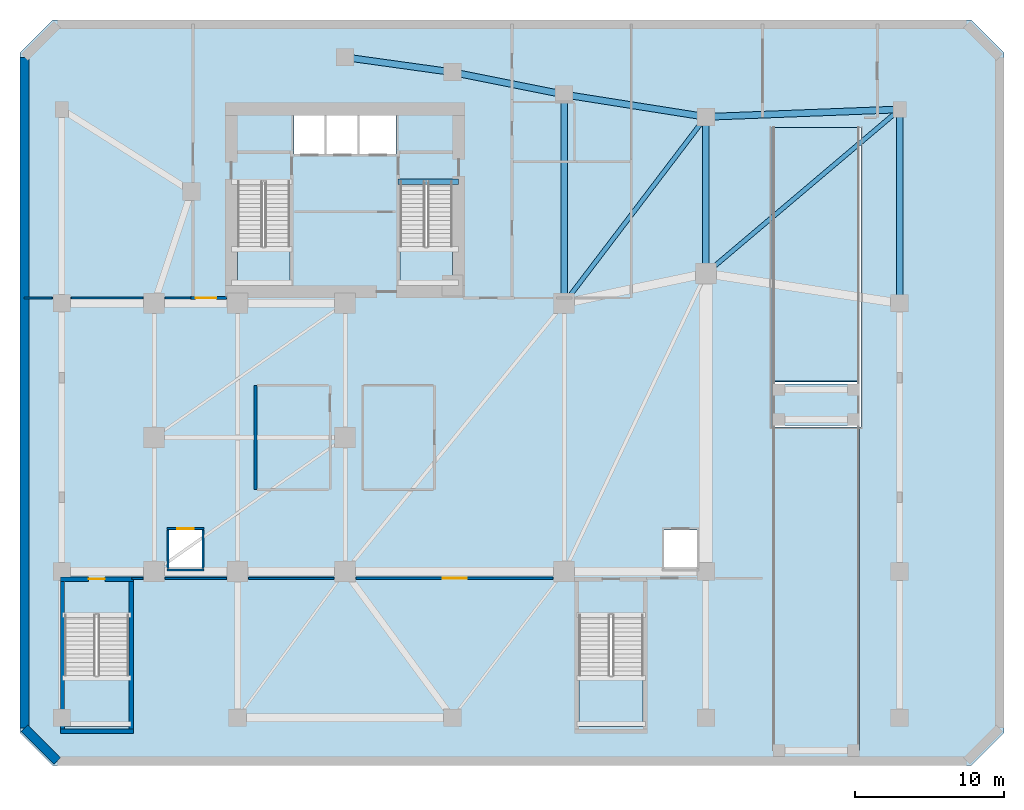
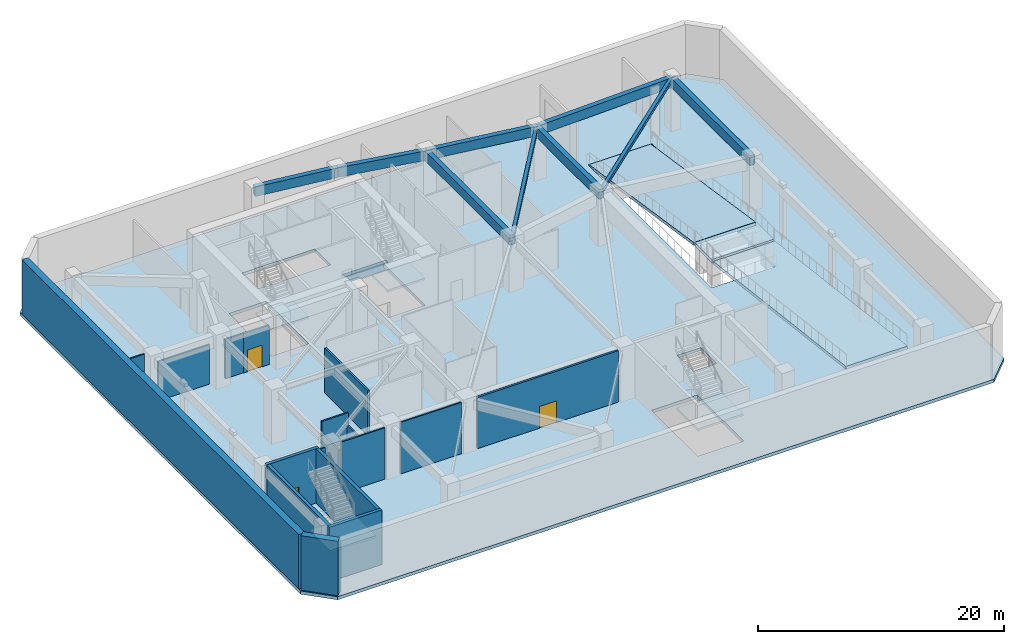
# One storey, part 2 of 9: 19 walls, 10 beams, 8 slabs, 4 doors, 4 openings, 4 elements without a shape of their own.
"""IFC4 building model written with IfcOpenShell, lengths in metres."""

from ifc_helpers import new_model, si_unit, direction, frame, frame_2d, origin, origin_2d, place, context, subcontext, project, spatial, polyline, rectangle, i_section, outline, extrude, source, transform, mapped, material, layer, layer_set, material_profile, profile_set, type_object, element, fill, aggregate, save


model = new_model("IFC4")

# Units and contexts
model_context = context("Model", 3, precision=1e-05, world=origin(), true_north=direction((0.0, 1.0)))
body_context = subcontext(model_context, "Body", "Model", "MODEL_VIEW")
ifc_project = project(units=[si_unit("LENGTHUNIT", "METRE"), si_unit("AREAUNIT", "SQUARE_METRE"), si_unit("VOLUMEUNIT", "CUBIC_METRE"), si_unit("PLANEANGLEUNIT", "RADIAN"), si_unit("MASSUNIT", "GRAM", prefix="KILO")], contexts=[model_context])

# Site, building, storey
site_placement = place(None, origin())
site = spatial("IfcSite", under=ifc_project, at=site_placement, CompositionType="ELEMENT")
building_placement = place(site_placement, origin())
building = spatial("IfcBuilding", under=site, at=building_placement, Name="Calvemar Wedge Station Tower", CompositionType="ELEMENT")
storey_placement = place(building_placement, frame((0.0, 0.0, -5.39990234375)))
storey = spatial("IfcBuildingStorey", under=building, at=storey_placement, Name="B01", CompositionType="ELEMENT", Elevation=-5.39990234375)

# Beams
ifc_material_1 = material(Name="Concrete C70", Category="concrete")
ifc_material_profile_1 = material_profile(ifc_material_1, rectangle(XDim=0.35009765625, YDim=0.699951171875, at=origin_2d()), Name="RC350x700")
ifc_profile_set_1 = profile_set([ifc_material_profile_1], Name="Concrete C70")
beam_type_1 = type_object("IfcBeamType", Name="BM-LN1-700", PredefinedType="LINTEL", material=ifc_profile_set_1)
shared_shape_1 = source(origin(), body_context, "Body", "SweptSolid", [
    extrude(rectangle(XDim=0.35009765625, YDim=0.699951171875, at=origin_2d()), origin(), (0.0, 0.0, 1.0), 4.054931640625),
])
beam_1_placement = place(storey_placement, frame((27.3701171875, 41.14990234375, -0.35009765625), z_axis=(1.0, 0.0, 0.0), x_axis=(0.0, 1.0, 0.0)))
element("IfcBeam", 1, at=beam_1_placement, inside=storey, type_object=beam_type_1, Name="Storey B01 Stair ST-C2 Landing Trimmer Beam", PredefinedType="LINTEL", context=body_context, shape_type="MappedRepresentation", body=[
    mapped(shared_shape_1, transform((0.0, 0.0, 0.0), scale=1.0)),
])
ifc_material_2 = material(Name="Concrete C50", Category="concrete")
ifc_material_profile_2 = material_profile(ifc_material_2, rectangle(XDim=0.449951171875, YDim=0.949951171875, at=origin_2d()), Name="RC450x950")
ifc_profile_set_2 = profile_set([ifc_material_profile_2], Name="Concrete C50")
beam_type_2 = type_object("IfcBeamType", Name="BM-G2-950", PredefinedType="BEAM", material=ifc_profile_set_2)
shared_shape_2 = source(origin(), body_context, "Body", "SweptSolid", [
    extrude(rectangle(XDim=0.449951171875, YDim=0.949951171875, at=origin_2d()), origin(), (0.0, 0.0, 1.0), 13.0),
])
beam_2_placement = place(storey_placement, frame((61.0, 33.0, 4.625), z_axis=(0.0, 1.0, 0.0), x_axis=(-1.0, 0.0, 0.0)))
element("IfcBeam", 2, at=beam_2_placement, inside=storey, type_object=beam_type_2, Name="Storey B01 Primary Girder G37", PredefinedType="BEAM", context=body_context, shape_type="MappedRepresentation", body=[
    mapped(shared_shape_2, transform((0.0, 0.0, 0.0), scale=1.0)),
])
shared_shape_3 = source(origin(), body_context, "Body", "SweptSolid", [
    extrude(rectangle(XDim=0.449951171875, YDim=0.949951171875, at=origin_2d()), origin(), (0.0, 0.0, 1.0), 14.0),
])
beam_3_placement = place(storey_placement, frame((38.5, 33.0, 4.625), z_axis=(0.0, 1.0, 0.0), x_axis=(-1.0, 0.0, 0.0)))
element("IfcBeam", 3, at=beam_3_placement, inside=storey, type_object=beam_type_2, Name="Storey B01 Primary Girder G35", PredefinedType="BEAM", context=body_context, shape_type="MappedRepresentation", body=[
    mapped(shared_shape_3, transform((0.0, 0.0, 0.0), scale=1.0)),
])
shared_shape_4 = source(origin(), body_context, "Body", "SweptSolid", [
    extrude(rectangle(XDim=0.449951171875, YDim=0.949951171875, at=origin_2d()), origin(), (0.0, 0.0, 1.0), 10.5),
])
beam_4_placement = place(storey_placement, frame((48.0, 35.0, 4.625), z_axis=(0.0, 1.0, 0.0), x_axis=(-1.0, 0.0, 0.0)))
element("IfcBeam", 4, at=beam_4_placement, inside=storey, type_object=beam_type_2, Name="Storey B01 Primary Girder G36", PredefinedType="BEAM", context=body_context, shape_type="MappedRepresentation", body=[
    mapped(shared_shape_4, transform((0.0, 0.0, 0.0), scale=1.0)),
])
shared_shape_5 = source(origin(), body_context, "Body", "SweptSolid", [
    extrude(rectangle(XDim=0.449951171875, YDim=0.949951171875, at=origin_2d()), origin(), (0.0, 0.0, 1.0), 7.26904296875),
])
beam_5_placement = place(storey_placement, frame((23.800048828125, 49.5, 4.625), z_axis=(0.990492146053, -0.13756928657, 0.0), x_axis=(0.13756928657, 0.990492146053, 0.0)))
element("IfcBeam", 5, at=beam_5_placement, inside=storey, type_object=beam_type_2, Name="Storey B01 Primary Girder G39", PredefinedType="BEAM", context=body_context, shape_type="MappedRepresentation", body=[
    mapped(shared_shape_5, transform((0.0, 0.0, 0.0), scale=1.0)),
])
shared_shape_6 = source(origin(), body_context, "Body", "SweptSolid", [
    extrude(rectangle(XDim=0.449951171875, YDim=0.949951171875, at=origin_2d()), origin(), (0.0, 0.0, 1.0), 7.6484375),
])
beam_6_placement = place(storey_placement, frame((31.0, 48.5, 4.625), z_axis=(0.980580675691, -0.196116135138, 0.0), x_axis=(0.196116135138, 0.980580675691, 0.0)))
element("IfcBeam", 6, at=beam_6_placement, inside=storey, type_object=beam_type_2, Name="Storey B01 Primary Girder G40", PredefinedType="BEAM", context=body_context, shape_type="MappedRepresentation", body=[
    mapped(shared_shape_6, transform((0.0, 0.0, 0.0), scale=1.0)),
])
shared_shape_7 = source(origin(), body_context, "Body", "SweptSolid", [
    extrude(rectangle(XDim=0.449951171875, YDim=0.949951171875, at=origin_2d()), origin(), (0.0, 0.0, 1.0), 9.61767578125),
])
beam_7_placement = place(storey_placement, frame((38.5, 47.0, 4.625), z_axis=(0.987762965329, -0.155962573473, 0.0), x_axis=(0.155962573473, 0.987762965329, 0.0)))
element("IfcBeam", 7, at=beam_7_placement, inside=storey, type_object=beam_type_2, Name="Storey B01 Primary Girder G41", PredefinedType="BEAM", context=body_context, shape_type="MappedRepresentation", body=[
    mapped(shared_shape_7, transform((0.0, 0.0, 0.0), scale=1.0)),
])
shared_shape_8 = source(origin(), body_context, "Body", "SweptSolid", [
    extrude(rectangle(XDim=0.449951171875, YDim=0.949951171875, at=origin_2d()), origin(), (0.0, 0.0, 1.0), 13.009521484375),
])
beam_8_placement = place(storey_placement, frame((48.0, 45.5, 4.625), z_axis=(0.999261174631, 0.038433122101, 0.0), x_axis=(-0.038433122101, 0.999261174631, 0.0)))
element("IfcBeam", 8, at=beam_8_placement, inside=storey, type_object=beam_type_2, Name="Storey B01 Primary Girder G42", PredefinedType="BEAM", context=body_context, shape_type="MappedRepresentation", body=[
    mapped(shared_shape_8, transform((0.0, 0.0, 0.0), scale=1.0)),
])
ifc_material_3 = material(Name="Structural steel ASTM A572 Grade 50", Category="steel")
ifc_material_profile_3 = material_profile(ifc_material_3, i_section(OverallWidth=0.30908203125, OverallDepth=0.322998046875, WebThickness=0.013916015625, FlangeThickness=0.02294921875, FilletRadius=0.014892578125, at=origin_2d()), Name="W310x143")
ifc_profile_set_3 = profile_set([ifc_material_profile_3], Name="Structural steel ASTM A572 Grade 50")
beam_type_3 = type_object("IfcBeamType", Name="BM-J5-W310H", PredefinedType="JOIST", material=ifc_profile_set_3)
shared_shape_9 = source(origin(), body_context, "Body", "SweptSolid", [
    extrude(i_section(OverallWidth=0.30908203125, OverallDepth=0.322998046875, WebThickness=0.013916015625, FlangeThickness=0.02294921875, FilletRadius=0.014892578125, at=origin_2d()), origin(), (0.0, 0.0, 1.0), 15.700439453125),
])
beam_9_placement = place(storey_placement, frame((38.5, 33.0, 4.9384765625), z_axis=(0.605083267534, 0.796162194123, 0.0), x_axis=(-0.796162194123, 0.605083267534, 0.0)))
element("IfcBeam", 9, at=beam_9_placement, inside=storey, type_object=beam_type_3, Name="Storey B01 Concourse Cross Joist 11", PredefinedType="JOIST", context=body_context, shape_type="MappedRepresentation", body=[
    mapped(shared_shape_9, transform((0.0, 0.0, 0.0), scale=1.0)),
])
shared_shape_10 = source(origin(), body_context, "Body", "SweptSolid", [
    extrude(i_section(OverallWidth=0.30908203125, OverallDepth=0.322998046875, WebThickness=0.013916015625, FlangeThickness=0.02294921875, FilletRadius=0.014892578125, at=origin_2d()), origin(), (0.0, 0.0, 1.0), 17.029296875),
])
beam_10_placement = place(storey_placement, frame((48.0, 35.0, 4.9384765625), z_axis=(0.763386285369, 0.645942241466, 0.0), x_axis=(-0.645942241466, 0.763386285369, 0.0)))
element("IfcBeam", 10, at=beam_10_placement, inside=storey, type_object=beam_type_3, Name="Storey B01 Concourse Cross Joist 12", PredefinedType="JOIST", context=body_context, shape_type="MappedRepresentation", body=[
    mapped(shared_shape_10, transform((0.0, 0.0, 0.0), scale=1.0)),
])

# Slabs
ifc_layer_1 = layer(ifc_material_2, 0.320068359375)
ifc_layer_set_1 = layer_set([ifc_layer_1], Name="Concrete C50")
slab_type_1 = type_object("IfcSlabType", Name="SL-POD-320", PredefinedType="FLOOR", material=ifc_layer_set_1)
slab_1_placement = place(storey_placement, frame((0.0, 0.0, -0.320068359375)))
element("IfcSlab", 11, at=slab_1_placement, inside=storey, type_object=slab_type_1, Name="Storey B01 Structural Floor Slab", PredefinedType="FLOOR", context=body_context, shape_type="SweptSolid", body=[
    extrude(outline(polyline([(4.199951171875, 2.0), (65.800048828125, 2.0), (68.0, 4.199951171875), (68.0, 49.800048828125), (65.800048828125, 52.0), (4.199951171875, 52.0), (2.0, 49.800048828125), (2.0, 4.199951171875), (4.199951171875, 2.0)]), holes=[polyline([(5.0, 4.60009765625), (9.300048828125, 4.60009765625), (9.300048828125, 12.10009765625), (5.0, 12.10009765625), (5.0, 4.60009765625)]), polyline([(39.5, 4.60009765625), (43.800048828125, 4.60009765625), (43.800048828125, 12.10009765625), (39.5, 12.10009765625), (39.5, 4.60009765625)]), polyline([(14.199951171875, 15.199951171875), (14.199951171875, 17.800048828125), (12.0, 17.800048828125), (12.0, 15.199951171875), (14.199951171875, 15.199951171875)]), polyline([(47.39990234375, 15.199951171875), (47.39990234375, 17.800048828125), (45.199951171875, 17.800048828125), (45.199951171875, 15.199951171875), (47.39990234375, 15.199951171875)]), polyline([(58.39990234375, 44.800048828125), (52.39990234375, 44.800048828125), (52.39990234375, 24.699951171875), (58.39990234375, 24.699951171875), (58.39990234375, 44.800048828125)]), polyline([(16.60009765625, 34.199951171875), (20.10009765625, 34.199951171875), (20.10009765625, 41.14990234375), (16.60009765625, 41.14990234375), (16.60009765625, 34.199951171875)]), polyline([(27.5, 34.199951171875), (31.0, 34.199951171875), (31.0, 41.14990234375), (27.5, 41.14990234375), (27.5, 34.199951171875)]), polyline([(27.219970703125, 43.0), (27.219970703125, 45.580078125), (20.3798828125, 45.580078125), (20.3798828125, 43.0), (27.219970703125, 43.0)])]), origin(), (0.0, 0.0, 1.0), 0.320068359375),
])
ifc_material_4 = material(Name="Concrete C45", Category="concrete")
ifc_layer_2 = layer(ifc_material_4, 0.3798828125)
ifc_layer_set_2 = layer_set([ifc_layer_2], Name="Concrete C45")
slab_type_2 = type_object("IfcSlabType", Name="SL-RAMP-LND", PredefinedType="LANDING", material=ifc_layer_set_2)
slab_2_placement = place(storey_placement, frame((0.0, 0.0, 2.31982421875)))
element("IfcSlab", 12, at=slab_2_placement, inside=storey, type_object=slab_type_2, Name="Car Park Vehicle Ramp VR-1 Intermediate Landing", PredefinedType="LANDING", context=body_context, shape_type="SweptSolid", body=[
    extrude(outline(polyline([(52.5, 24.800048828125), (58.300048828125, 24.800048828125), (58.300048828125, 27.60009765625), (52.5, 27.60009765625), (52.5, 24.800048828125)])), origin(), (0.0, 0.0, 1.0), 0.380126953125),
])

# Stair, slab
stair_type_1 = type_object("IfcStairType", Name="ST-TYPE-5400", PredefinedType="HALF_TURN_STAIR", material=ifc_material_4)
stair_1_placement = place(storey_placement, origin())
stair_1 = element("IfcStair", 13, at=stair_1_placement, inside=storey, type_object=stair_type_1, Name="B01 Pressurized Core Exit Stair ST-C1", PredefinedType="HALF_TURN_STAIR")
ifc_layer_3 = layer(ifc_material_4, 0.199951171875)
ifc_layer_set_3 = layer_set([ifc_layer_3], Name="Concrete C45")
slab_type_3 = type_object("IfcSlabType", Name="SL-STAIR-LND-200", PredefinedType="LANDING", material=ifc_layer_set_3)
slab_3_placement = place(storey_placement, frame((0.0, 0.0, 2.5)))
slab_3 = element("IfcSlab", 14, at=slab_3_placement, type_object=slab_type_3, Name="ST-C1 landing 1", PredefinedType="LANDING", context=body_context, shape_type="SweptSolid", body=[
    extrude(outline(polyline([(16.60009765625, 36.800048828125), (16.60009765625, 34.199951171875), (20.10009765625, 34.199951171875), (20.10009765625, 36.800048828125), (16.60009765625, 36.800048828125)])), origin(), (0.0, 0.0, 1.0), 0.199951171875),
])
aggregate(stair_1, [slab_3])

stair_2_placement = place(storey_placement, origin())
stair_2 = element("IfcStair", 15, at=stair_2_placement, inside=storey, type_object=stair_type_1, Name="B01 Pressurized Core Exit Stair ST-C2", PredefinedType="HALF_TURN_STAIR")
slab_4_placement = place(storey_placement, frame((0.0, 0.0, 2.5)))
slab_4 = element("IfcSlab", 16, at=slab_4_placement, type_object=slab_type_3, Name="ST-C2 landing 1", PredefinedType="LANDING", context=body_context, shape_type="SweptSolid", body=[
    extrude(outline(polyline([(27.5, 36.800048828125), (27.5, 34.199951171875), (31.0, 34.199951171875), (31.0, 36.800048828125), (27.5, 36.800048828125)])), origin(), (0.0, 0.0, 1.0), 0.199951171875),
])
aggregate(stair_2, [slab_4])

stair_type_2 = type_object("IfcStairType", Name="ST-TYPE-POD5400", PredefinedType="HALF_TURN_STAIR", material=ifc_material_4)
stair_3_placement = place(storey_placement, origin())
stair_3 = element("IfcStair", 17, at=stair_3_placement, inside=storey, type_object=stair_type_2, Name="B01 Station Podium Exit Stair ST-P1", PredefinedType="HALF_TURN_STAIR")
slab_5_placement = place(storey_placement, frame((0.0, 0.0, 2.5)))
slab_5 = element("IfcSlab", 18, at=slab_5_placement, type_object=slab_type_3, Name="ST-P1 landing 1", PredefinedType="LANDING", context=body_context, shape_type="SweptSolid", body=[
    extrude(outline(polyline([(5.0, 8.0400390625), (5.0, 4.60009765625), (9.300048828125, 4.60009765625), (9.300048828125, 8.0400390625), (5.0, 8.0400390625)])), origin(), (0.0, 0.0, 1.0), 0.199951171875),
])
aggregate(stair_3, [slab_5])

stair_4_placement = place(storey_placement, origin())
stair_4 = element("IfcStair", 19, at=stair_4_placement, inside=storey, type_object=stair_type_2, Name="B01 Station Podium Exit Stair ST-P2", PredefinedType="HALF_TURN_STAIR")
slab_6_placement = place(storey_placement, frame((0.0, 0.0, 2.5)))
slab_6 = element("IfcSlab", 20, at=slab_6_placement, type_object=slab_type_3, Name="ST-P2 landing 1", PredefinedType="LANDING", context=body_context, shape_type="SweptSolid", body=[
    extrude(outline(polyline([(39.5, 8.0400390625), (39.5, 4.60009765625), (43.800048828125, 4.60009765625), (43.800048828125, 8.0400390625), (39.5, 8.0400390625)])), origin(), (0.0, 0.0, 1.0), 0.199951171875),
])
aggregate(stair_4, [slab_6])

# Slabs
ifc_layer_4 = layer(ifc_material_4, 0.300048828125)
ifc_layer_set_4 = layer_set([ifc_layer_4], Name="Concrete C45")
slab_type_4 = type_object("IfcSlabType", Name="SL-VR-300", PredefinedType="FLOOR", material=ifc_layer_set_4)
slab_7_placement = place(storey_placement, frame((52.5, 44.800048828125, 0.0), z_axis=(0.0, 0.150432957766, 0.988620212831), x_axis=(1.0, 0.0, 0.0)))
element("IfcSlab", 21, at=slab_7_placement, inside=storey, type_object=slab_type_4, Name="Car Park Vehicle Ramp VR-1 Lower Structural Slab", PredefinedType="FLOOR", context=body_context, shape_type="SweptSolid", body=[
    extrude(outline(polyline([(0.0, 0.0), (5.800048828125, 0.0), (5.800048828125, -17.215933186834384), (0.0, -17.215933186834384), (0.0, 0.0)])), origin(), (0.0, 0.0, -1.0), 0.300048828125),
])
slab_8_placement = place(storey_placement, frame((52.5, 24.6201171875, 2.639892578125), z_axis=(0.0, 0.121934210791, 0.992538184776), x_axis=(1.0, 0.0, 0.0)))
element("IfcSlab", 22, at=slab_8_placement, inside=storey, type_object=slab_type_4, Name="Car Park Vehicle Ramp VR-1 Upper Structural Slab", PredefinedType="FLOOR", context=body_context, shape_type="SweptSolid", body=[
    extrude(outline(polyline([(0.0, 0.0), (5.800048828125, 0.0), (5.800048828125, -21.732230245870355), (0.0, -21.732230245870355), (0.0, 0.0)])), origin(), (0.0, 0.0, -1.0), 0.300048828125),
])

# Walls
ifc_layer_5 = layer(ifc_material_2, 0.300048828125)
ifc_layer_set_5 = layer_set([ifc_layer_5], Name="Concrete C50")
wall_type_1 = type_object("IfcWallType", Name="SW-CORE-300", PredefinedType="SHEAR", material=ifc_layer_set_5)
for number, where, z_axis, x_axis, name in (
    (23, (4.85009765625, 4.449951171875, 0.0), (0.0, 0.0, 1.0), (0.0, 1.0, 0.0), "Storey B01 Podium Stair STP1 Structural Wall W"),
    (24, (9.449951171875, 4.449951171875, 0.0), (0.0, 0.0, 1.0), (0.0, 1.0, 0.0), "Storey B01 Podium Stair STP1 Structural Wall E"),
):
    element("IfcWall", number, at=place(storey_placement, frame(where, z_axis=z_axis, x_axis=x_axis)), inside=storey, type_object=wall_type_1, Name=name, PredefinedType="SHEAR", context=body_context, shape_type="SweptSolid", body=[
        extrude(rectangle(XDim=9.900146484375, YDim=0.300048828125, at=frame_2d((4.9501953125, 0.0))), origin(), (0.0, 0.0, 1.0), 5.39990234375),
    ])
wall_1_placement = place(storey_placement, frame((4.699951171875, 4.300048828125, 0.0), z_axis=(0.0, 0.0, 1.0), x_axis=(1.0, 0.0, 0.0)))
element("IfcWall", 25, at=wall_1_placement, inside=storey, type_object=wall_type_1, Name="Storey B01 Podium Stair STP1 Structural Wall S", PredefinedType="SHEAR", context=body_context, shape_type="SweptSolid", body=[
    extrude(rectangle(XDim=4.900146484375, YDim=0.300048828125, at=frame_2d((2.4501953125, 0.0))), origin(), (0.0, 0.0, 1.0), 5.39990234375),
])

# Wall, opening, door
wall_2_placement = place(storey_placement, frame((4.699951171875, 14.5, 0.0), z_axis=(0.0, 0.0, 1.0), x_axis=(1.0, 0.0, 0.0)))
wall_2 = element("IfcWall", 26, at=wall_2_placement, inside=storey, type_object=wall_type_1, Name="Storey B01 Podium Stair STP1 Structural Wall N", PredefinedType="SHEAR", context=body_context, shape_type="SweptSolid", body=[
    extrude(rectangle(XDim=4.900146484375, YDim=0.300048828125, at=frame_2d((2.4501953125, 0.0))), origin(), (0.0, 0.0, 1.0), 5.39990234375),
])
shared_shape_11 = source(origin(), body_context, "Body", "SweptSolid", [
    extrude(rectangle(XDim=1.10009765625, YDim=2.14990234375, at=frame_2d((0.550048828125, 1.074951171875))), frame((0.0, 0.16015625, 0.0), z_axis=(0.0, -1.0, 0.0), x_axis=(1.0, 0.0, 0.0)), (0.0, 0.0, 1.0), 0.320068359375),
])
opening_1_placement = place(wall_2_placement, frame((1.89990234375, 0.0, 0.0)))
opening_1 = element("IfcOpeningElement", 27, at=opening_1_placement, cuts=wall_2, Name="Opening FD-90", PredefinedType="OPENING", context=body_context, shape_type="MappedRepresentation", body=[
    mapped(shared_shape_11, transform((0.0, 0.0, 0.0), scale=1.0)),
])
ifc_material_5 = material(Name="Galvanized fire-rated steel door leaf P-90", Category="steel")
door_type_1 = type_object("IfcDoorType", Name="DR-FD90-1100", OperationType="NOTDEFINED", PredefinedType="DOOR", material=ifc_material_5)
shared_shape_12 = source(origin(), body_context, "Body", "SweptSolid", [
    extrude(rectangle(XDim=1.10009765625, YDim=2.14990234375, at=frame_2d((0.550048828125, 1.074951171875))), frame((0.0, 0.02490234375, 0.0), z_axis=(0.0, -1.0, 0.0), x_axis=(1.0, 0.0, 0.0)), (0.0, 0.0, 1.0), 0.050048828125),
])
door_1_placement = place(opening_1_placement, origin())
door_1 = element("IfcDoor", 28, at=door_1_placement, inside=storey, type_object=door_type_1, Name="B01 Exit Stair ST-P1 Door", OperationType="SINGLE_SWING_RIGHT", OverallHeight=2.14990234375, OverallWidth=1.10009765625, PredefinedType="DOOR", context=body_context, shape_type="MappedRepresentation", body=[
    mapped(shared_shape_12, transform((0.0, 0.0, 0.0), scale=1.0)),
])
fill(opening_1, door_1)

# Walls
ifc_layer_6 = layer(ifc_material_2, 0.60009765625)
ifc_layer_set_6 = layer_set([ifc_layer_6], Name="Concrete C50")
wall_type_2 = type_object("IfcWallType", Name="SW-CORE-RET-600", PredefinedType="SHEAR", material=ifc_layer_set_6)
wall_3_placement = place(storey_placement, frame((2.300048828125, 49.5, 0.0), z_axis=(0.0, 0.0, 1.0), x_axis=(0.0, -1.0, 0.0)))
element("IfcWall", 29, at=wall_3_placement, inside=storey, type_object=wall_type_2, Name="Basement B01 Diaphragm Retaining Wall 7", PredefinedType="SHEAR", context=body_context, shape_type="SweptSolid", body=[
    extrude(rectangle(XDim=45.0, YDim=0.60009765625, at=frame_2d((22.5, 0.0))), origin(), (0.0, 0.0, 1.0), 5.39990234375),
])
wall_4_placement = place(storey_placement, frame((2.300048828125, 4.5, 0.0), z_axis=(0.0, 0.0, 1.0), x_axis=(0.707106781187, -0.707106781187, 0.0)))
element("IfcWall", 30, at=wall_4_placement, inside=storey, type_object=wall_type_2, Name="Basement B01 Diaphragm Retaining Wall 8", PredefinedType="SHEAR", context=body_context, shape_type="SweptSolid", body=[
    extrude(rectangle(XDim=3.111083984375, YDim=0.60009765625, at=frame_2d((1.5556640625, 0.0))), origin(), (0.0, 0.0, 1.0), 5.39990234375),
])
ifc_material_6 = material(Name="Double-stud fire-rated corridor partition")
ifc_layer_7 = layer(ifc_material_6, 0.179931640625)
ifc_layer_set_7 = layer_set([ifc_layer_7], Name="Double-stud fire-rated corridor partition")
wall_type_3 = type_object("IfcWallType", Name="W-CORR-180", PredefinedType="PARTITIONING", material=ifc_layer_set_7)
wall_5_placement = place(storey_placement, frame((17.800048828125, 20.5, 0.0), z_axis=(0.0, 0.0, 1.0), x_axis=(0.0, 1.0, 0.0)))
element("IfcWall", 31, at=wall_5_placement, inside=storey, type_object=wall_type_3, Name="Storey B01 Interior Partition WL-B01-006", PredefinedType="PARTITIONING", context=body_context, shape_type="SweptSolid", body=[
    extrude(rectangle(XDim=7.0, YDim=0.179931640625, at=frame_2d((3.5, 0.0))), origin(), (0.0, 0.0, 1.0), 4.456787109375),
])

# Wall, opening, door
wall_6_placement = place(storey_placement, frame((13.43994140625, 33.35009765625, 0.0), z_axis=(0.0, 0.0, 1.0), x_axis=(1.0, 0.0, 0.0)))
wall_6 = element("IfcWall", 32, at=wall_6_placement, inside=storey, type_object=wall_type_3, Name="Storey B01 Interior Partition WL-B01-013", PredefinedType="PARTITIONING", context=body_context, shape_type="SweptSolid", body=[
    extrude(rectangle(XDim=2.400146484375, YDim=0.179931640625, at=frame_2d((1.2001953125, 0.0))), origin(), (0.0, 0.0, 1.0), 3.891845703125),
])
shared_shape_13 = source(origin(), body_context, "Body", "SweptSolid", [
    extrude(rectangle(XDim=1.39990234375, YDim=2.14990234375, at=frame_2d((0.699951171875, 1.074951171875))), frame((0.0, 0.10009765625, 0.0), z_axis=(0.0, -1.0, 0.0), x_axis=(1.0, 0.0, 0.0)), (0.0, 0.0, 1.0), 0.199951171875),
])
opening_2_placement = place(wall_6_placement, frame((0.3349609375, 0.0, 0.0)))
opening_2 = element("IfcOpeningElement", 33, at=opening_2_placement, cuts=wall_6, Name="Opening DD-140", PredefinedType="OPENING", context=body_context, shape_type="MappedRepresentation", body=[
    mapped(shared_shape_13, transform((0.0, 0.0, 0.0), scale=1.0)),
])
ifc_material_7 = material(Name="Double-leaf corridor acoustic fire door EI 60")
door_type_2 = type_object("IfcDoorType", Name="DR-DBL-1400", OperationType="DOUBLE_DOOR_SINGLE_SWING", PredefinedType="DOOR", material=ifc_material_7)
shared_shape_14 = source(origin(), body_context, "Body", "SweptSolid", [
    extrude(rectangle(XDim=1.39990234375, YDim=2.14990234375, at=frame_2d((0.699951171875, 1.074951171875))), frame((0.0, 0.02490234375, 0.0), z_axis=(0.0, -1.0, 0.0), x_axis=(1.0, 0.0, 0.0)), (0.0, 0.0, 1.0), 0.050048828125),
])
door_2_placement = place(opening_2_placement, origin())
door_2 = element("IfcDoor", 34, at=door_2_placement, inside=storey, type_object=door_type_2, Name="B01 West Bicycle Access Corridor Door", OperationType="SINGLE_SWING_LEFT", OverallHeight=2.14990234375, OverallWidth=1.39990234375, PredefinedType="DOOR", context=body_context, shape_type="MappedRepresentation", body=[
    mapped(shared_shape_14, transform((0.0, 0.0, 0.0), scale=1.0)),
])
fill(opening_2, door_2)

wall_7_placement = place(storey_placement, frame((37.760009765625, 14.550048828125, 0.0), z_axis=(0.0, 0.0, 1.0), x_axis=(-1.0, 0.0, 0.0)))
wall_7 = element("IfcWall", 35, at=wall_7_placement, inside=storey, type_object=wall_type_3, Name="Storey B01 Interior Partition WL-B01-022", PredefinedType="PARTITIONING", context=body_context, shape_type="SweptSolid", body=[
    extrude(rectangle(XDim=13.219970703125, YDim=0.179931640625, at=frame_2d((6.60986328125, 0.0))), origin(), (0.0, 0.0, 1.0), 5.099853515625),
])
shared_shape_15 = source(origin(), body_context, "Body", "SweptSolid", [
    extrude(rectangle(XDim=1.60009765625, YDim=2.14990234375, at=frame_2d((0.800048828125, 1.074951171875))), frame((0.0, 0.10009765625, 0.0), z_axis=(0.0, -1.0, 0.0), x_axis=(1.0, 0.0, 0.0)), (0.0, 0.0, 1.0), 0.199951171875),
])
opening_3_placement = place(wall_7_placement, frame((5.81005859375, 0.0, 0.0)))
opening_3 = element("IfcOpeningElement", 36, at=opening_3_placement, cuts=wall_7, Name="Opening DD-160", PredefinedType="OPENING", context=body_context, shape_type="MappedRepresentation", body=[
    mapped(shared_shape_15, transform((0.0, 0.0, 0.0), scale=1.0)),
])
ifc_material_8 = material(Name="Double-leaf fire-rated lobby door EI 60")
door_type_3 = type_object("IfcDoorType", Name="DR-DBL-1600", OperationType="DOUBLE_DOOR_SINGLE_SWING", PredefinedType="DOOR", material=ifc_material_8)
shared_shape_16 = source(origin(), body_context, "Body", "SweptSolid", [
    extrude(rectangle(XDim=1.60009765625, YDim=2.14990234375, at=frame_2d((0.800048828125, 1.074951171875))), frame((0.0, 0.02490234375, 0.0), z_axis=(0.0, -1.0, 0.0), x_axis=(1.0, 0.0, 0.0)), (0.0, 0.0, 1.0), 0.050048828125),
])
door_3_placement = place(opening_3_placement, origin())
door_3 = element("IfcDoor", 37, at=door_3_placement, inside=storey, type_object=door_type_3, Name="B01 Service Loading and Baggage Hall Door", OperationType="SINGLE_SWING_RIGHT", OverallHeight=2.14990234375, OverallWidth=1.60009765625, PredefinedType="DOOR", context=body_context, shape_type="MappedRepresentation", body=[
    mapped(shared_shape_16, transform((0.0, 0.0, 0.0), scale=1.0)),
])
fill(opening_3, door_3)

ifc_material_9 = material(Name="Reinforced concrete blockwork lift shaft wall", Category="masonry")
ifc_layer_8 = layer(ifc_material_9, 0.139892578125)
ifc_layer_set_8 = layer_set([ifc_layer_8], Name="Reinforced concrete blockwork lift shaft wall")
wall_type_4 = type_object("IfcWallType", Name="W-LIFT-160", PredefinedType="SOLIDWALL", material=ifc_layer_set_8)
wall_8_placement = place(storey_placement, frame((11.85009765625, 17.8798828125, 0.0), z_axis=(0.0, 0.0, 1.0), x_axis=(1.0, 0.0, 0.0)))
wall_8 = element("IfcWall", 38, at=wall_8_placement, inside=storey, type_object=wall_type_4, Name="Storey B01 Station Lift SL-01 Shaft Wall N", PredefinedType="SOLIDWALL", context=body_context, shape_type="SweptSolid", body=[
    extrude(rectangle(XDim=2.5, YDim=0.139892578125, at=frame_2d((1.25, 0.0))), origin(), (0.0, 0.0, 1.0), 5.099853515625),
])
shared_shape_17 = source(origin(), body_context, "Body", "SweptSolid", [
    extrude(rectangle(XDim=1.10009765625, YDim=2.14990234375, at=frame_2d((0.550048828125, 1.074951171875))), frame((0.0, 0.080078125, 0.0), z_axis=(0.0, -1.0, 0.0), x_axis=(1.0, 0.0, 0.0)), (0.0, 0.0, 1.0), 0.159912109375),
])
opening_4_placement = place(wall_8_placement, frame((0.699951171875, 0.0, 0.0)))
opening_4 = element("IfcOpeningElement", 39, at=opening_4_placement, cuts=wall_8, Name="Opening LD-STN", PredefinedType="OPENING", context=body_context, shape_type="MappedRepresentation", body=[
    mapped(shared_shape_17, transform((0.0, 0.0, 0.0), scale=1.0)),
])
ifc_material_10 = material(Name="Stainless steel transit lift sliding landing door", Category="steel")
door_type_4 = type_object("IfcDoorType", Name="DR-LD-PAX-1100", OperationType="SLIDING_TO_LEFT", PredefinedType="DOOR", material=ifc_material_10)
shared_shape_18 = source(origin(), body_context, "Body", "SweptSolid", [
    extrude(rectangle(XDim=1.10009765625, YDim=2.14990234375, at=frame_2d((0.550048828125, 1.074951171875))), frame((0.0, 0.02490234375, 0.0), z_axis=(0.0, -1.0, 0.0), x_axis=(1.0, 0.0, 0.0)), (0.0, 0.0, 1.0), 0.050048828125),
])
door_4_placement = place(opening_4_placement, origin())
door_4 = element("IfcDoor", 40, at=door_4_placement, inside=storey, type_object=door_type_4, Name="B01 Station Lift SL-01 Sliding Landing Door", OperationType="SLIDING_TO_LEFT", OverallHeight=2.14990234375, OverallWidth=1.10009765625, PredefinedType="DOOR", context=body_context, shape_type="MappedRepresentation", body=[
    mapped(shared_shape_18, transform((0.0, 0.0, 0.0), scale=1.0)),
])
fill(opening_4, door_4)

# Walls
wall_9_placement = place(storey_placement, frame((11.85009765625, 15.1201171875, 0.0), z_axis=(0.0, 0.0, 1.0), x_axis=(1.0, 0.0, 0.0)))
element("IfcWall", 41, at=wall_9_placement, inside=storey, type_object=wall_type_4, Name="Storey B01 Station Lift SL-01 Shaft Wall S", PredefinedType="SOLIDWALL", context=body_context, shape_type="SweptSolid", body=[
    extrude(rectangle(XDim=2.5, YDim=0.139892578125, at=frame_2d((1.25, 0.0))), origin(), (0.0, 0.0, 1.0), 3.891845703125),
])
for number, where, z_axis, x_axis, name in (
    (42, (11.919921875, 15.219970703125, 0.0), (0.0, 0.0, 1.0), (0.0, 1.0, 0.0), "Storey B01 Station Lift SL-01 Shaft Wall W"),
    (43, (14.280029296875, 15.219970703125, 0.0), (0.0, 0.0, 1.0), (0.0, 1.0, 0.0), "Storey B01 Station Lift SL-01 Shaft Wall E"),
):
    element("IfcWall", number, at=place(storey_placement, frame(where, z_axis=z_axis, x_axis=x_axis)), inside=storey, type_object=wall_type_4, Name=name, PredefinedType="SOLIDWALL", context=body_context, shape_type="SweptSolid", body=[
        extrude(rectangle(XDim=2.56005859375, YDim=0.139892578125, at=frame_2d((1.280029296875, 0.0))), origin(), (0.0, 0.0, 1.0), 3.891845703125),
    ])
ifc_material_11 = material(Name="Insulated acoustic gypsum stud partition")
ifc_layer_9 = layer(ifc_material_11, 0.125)
ifc_layer_set_9 = layer_set([ifc_layer_9], Name="Insulated acoustic gypsum stud partition")
wall_type_5 = type_object("IfcWallType", Name="W-PART-125", PredefinedType="PARTITIONING", material=ifc_layer_set_9)
wall_10_placement = place(storey_placement, frame((5.43994140625, 33.35009765625, 0.0), z_axis=(0.0, 0.0, 1.0), x_axis=(1.0, 0.0, 0.0)))
element("IfcWall", 44, at=wall_10_placement, inside=storey, type_object=wall_type_5, Name="Storey B01 Interior Partition WL-B01-014", PredefinedType="PARTITIONING", context=body_context, shape_type="SweptSolid", body=[
    extrude(rectangle(XDim=4.820068359375, YDim=0.125, at=frame_2d((2.41015625, 0.0))), origin(), (0.0, 0.0, 1.0), 3.891845703125),
])
wall_11_placement = place(storey_placement, frame((11.739990234375, 33.35009765625, 0.0), z_axis=(0.0, 0.0, 1.0), x_axis=(1.0, 0.0, 0.0)))
element("IfcWall", 45, at=wall_11_placement, inside=storey, type_object=wall_type_5, Name="Storey B01 Interior Partition WL-B01-015", PredefinedType="PARTITIONING", context=body_context, shape_type="SweptSolid", body=[
    extrude(rectangle(XDim=1.697998046875, YDim=0.125, at=frame_2d((0.84912109375, 0.0))), origin(), (0.0, 0.0, 1.0), 3.891845703125),
])
wall_12_placement = place(storey_placement, frame((2.284912109375, 33.35009765625, 0.0), z_axis=(0.0, 0.0, 1.0), x_axis=(1.0, 0.0, 0.0)))
element("IfcWall", 46, at=wall_12_placement, inside=storey, type_object=wall_type_5, Name="Storey B01 Interior Partition WL-B01-016", PredefinedType="PARTITIONING", context=body_context, shape_type="SweptSolid", body=[
    extrude(rectangle(XDim=1.875, YDim=0.125, at=frame_2d((0.9375, 0.0))), origin(), (0.0, 0.0, 1.0), 5.099853515625),
])
wall_13_placement = place(storey_placement, frame((23.06005859375, 14.550048828125, 0.0), z_axis=(0.0, 0.0, 1.0), x_axis=(-1.0, 0.0, 0.0)))
element("IfcWall", 47, at=wall_13_placement, inside=storey, type_object=wall_type_5, Name="Storey B01 Interior Partition WL-B01-023", PredefinedType="PARTITIONING", context=body_context, shape_type="SweptSolid", body=[
    extrude(rectangle(XDim=5.719970703125, YDim=0.125, at=frame_2d((2.85986328125, 0.0))), origin(), (0.0, 0.0, 1.0), 5.099853515625),
])
wall_14_placement = place(storey_placement, frame((15.860107421875, 14.550048828125, 0.0), z_axis=(0.0, 0.0, 1.0), x_axis=(-1.0, 0.0, 0.0)))
element("IfcWall", 48, at=wall_14_placement, inside=storey, type_object=wall_type_5, Name="Storey B01 Interior Partition WL-B01-024", PredefinedType="PARTITIONING", context=body_context, shape_type="SweptSolid", body=[
    extrude(rectangle(XDim=4.1201171875, YDim=0.125, at=frame_2d((2.06005859375, 0.0))), origin(), (0.0, 0.0, 1.0), 5.099853515625),
])
wall_15_placement = place(storey_placement, frame((10.260009765625, 14.550048828125, 0.0), z_axis=(0.0, 0.0, 1.0), x_axis=(-1.0, 0.0, 0.0)))
element("IfcWall", 49, at=wall_15_placement, inside=storey, type_object=wall_type_5, Name="Storey B01 Interior Partition WL-B01-025", PredefinedType="PARTITIONING", context=body_context, shape_type="SweptSolid", body=[
    extrude(rectangle(XDim=0.75, YDim=0.125, at=frame_2d((0.375, 0.0))), origin(), (0.0, 0.0, 1.0), 5.099853515625),
])

save(model, "model.ifc")
